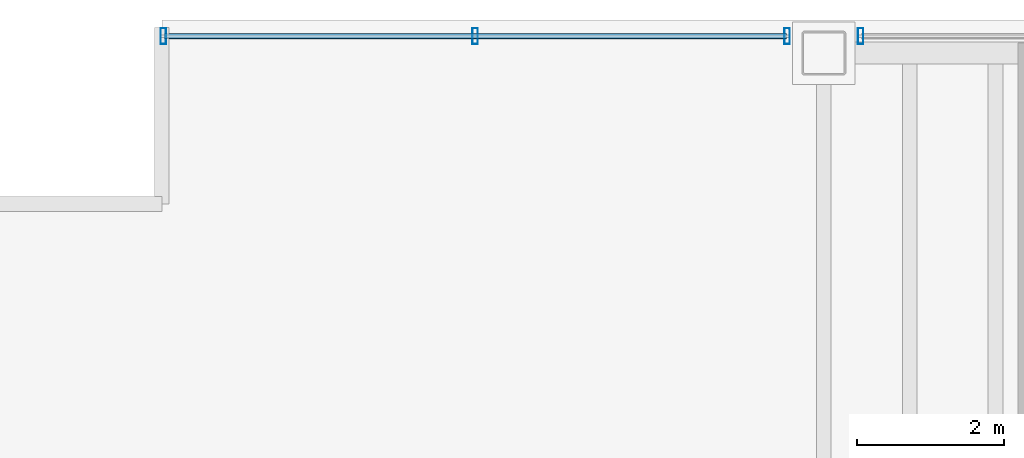
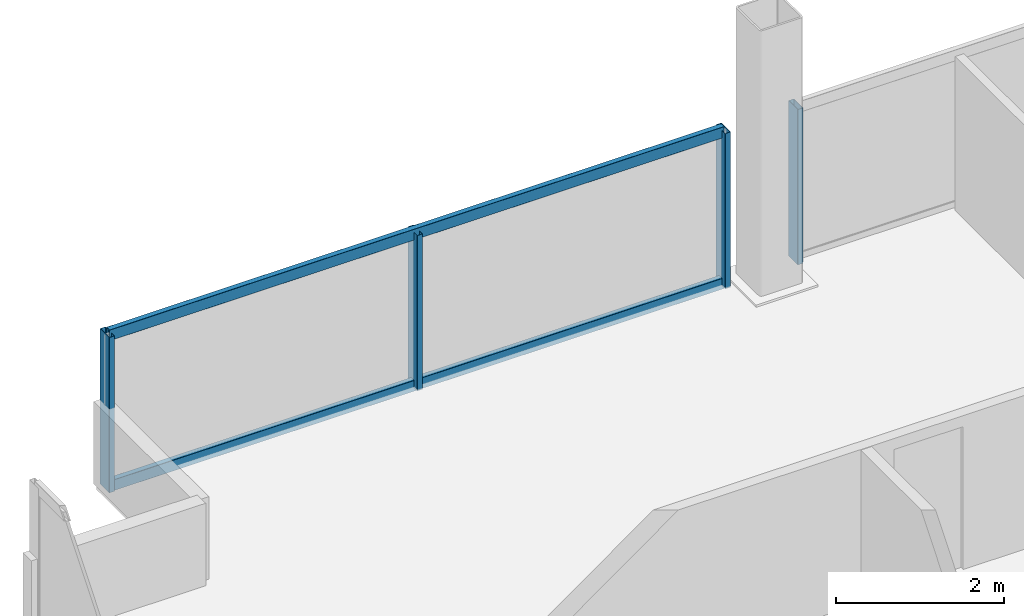
# One storey, part 14 of 21: 6 members, 2 elements without a shape of their own.
"""IFC4 building model written with IfcOpenShell, lengths in metres."""

import ifcopenshell
import ifcopenshell.guid

model = None  # the IFC model being written
_history = None  # IfcOwnerHistory: only IFC2X3 demands one
_inside = {}  # id of a spatial element -> (the spatial element, [elements in it])
_under = {}  # id of a project, library or spatial element -> (it, [spatial elements below it])
_declared = {}  # id of a project -> (the project, [libraries it declares])
_typed = {}  # id of a type object -> (the type object, [elements of that type])
_made_of = {}  # id of a material, layer set ... -> (it, [elements and type objects made of it])


def new_model(schema):
    """Start an empty IFC model of exactly this schema.

    Asked for "IFC4X3", IfcOpenShell would pick the latest addendum, in which some entities
    have other attributes; the version numbers below select the first issue.
    IFC2X3 requires an IfcOwnerHistory on every rooted entity: one is made here for all.
    """
    global model, _history
    if schema == "IFC4X3":
        model = ifcopenshell.file(schema_version=(4, 3, 0, 0))
    else:
        model = ifcopenshell.file(schema=schema)
    _inside.clear()
    _under.clear()
    _declared.clear()
    _typed.clear()
    _made_of.clear()
    _history = None
    if model.schema == "IFC2X3":
        org = make("IfcOrganization", Name="unknown")
        user = make(
            "IfcPersonAndOrganization",
            ThePerson=make("IfcPerson", FamilyName="unknown"),
            TheOrganization=org,
        )
        app = make(
            "IfcApplication",
            ApplicationDeveloper=org,
            Version="unknown",
            ApplicationFullName="unknown",
            ApplicationIdentifier="unknown",
        )
        _history = make(
            "IfcOwnerHistory",
            OwningUser=user,
            OwningApplication=app,
            ChangeAction="ADDED",
            CreationDate=0,
        )
    return model


def make(cls, **values):
    """One entity of the class cls with the attributes given. An attribute that is None is left unset."""
    return model.create_entity(
        cls, **{name: value for name, value in values.items() if value is not None}
    )


def rooted(cls, **values):
    """An entity with a GlobalId (a new one), such as an element, a storey or a relation."""
    return make(cls, GlobalId=ifcopenshell.guid.new(), OwnerHistory=_history, **values)


def si_unit(unit_type, name, prefix=None):
    """IfcSIUnit, for example si_unit("LENGTHUNIT", "METRE", prefix="MILLI")."""
    return make("IfcSIUnit", UnitType=unit_type, Prefix=prefix, Name=name)


def assignment(units):
    """IfcUnitAssignment: the units of a project."""
    return None if units is None else make("IfcUnitAssignment", Units=units)


def point(xyz):
    """IfcCartesianPoint."""
    return None if xyz is None else make("IfcCartesianPoint", Coordinates=xyz)


def direction(xyz):
    """IfcDirection."""
    return None if xyz is None else make("IfcDirection", DirectionRatios=xyz)


def frame(location, z_axis=None, x_axis=None):
    """IfcAxis2Placement3D, a coordinate frame: its origin and axes. An axis left out is left unset."""
    return make(
        "IfcAxis2Placement3D",
        Location=point(location),
        Axis=direction(z_axis),
        RefDirection=direction(x_axis),
    )


def frame_2d(location, x_axis=None):
    """IfcAxis2Placement2D, a coordinate frame in the plane: its origin and x axis."""
    return make(
        "IfcAxis2Placement2D", Location=point(location), RefDirection=direction(x_axis)
    )


def origin():
    """The frame at (0, 0, 0) with its axes left unset."""
    return frame((0.0, 0.0, 0.0))


def origin_2d():
    """The frame at (0, 0) in the plane with its x axis left unset."""
    return frame_2d((0.0, 0.0))


def place(relative_to, where):
    """IfcLocalPlacement: puts the frame where relative to a parent placement (None: the world)."""
    return make(
        "IfcLocalPlacement", PlacementRelTo=relative_to, RelativePlacement=where
    )


def context(
    kind, dimensions, precision=None, world=None, true_north=None, identifier=None
):
    """IfcGeometricRepresentationContext, for example the 3D "Model" context."""
    return make(
        "IfcGeometricRepresentationContext",
        ContextIdentifier=identifier,
        ContextType=kind,
        CoordinateSpaceDimension=dimensions,
        Precision=precision,
        WorldCoordinateSystem=world,
        TrueNorth=true_north,
    )


def subcontext(parent, identifier, kind, view, scale=None):
    """IfcGeometricRepresentationSubContext, for example "Body" below "Model"."""
    return make(
        "IfcGeometricRepresentationSubContext",
        ContextIdentifier=identifier,
        ContextType=kind,
        ParentContext=parent,
        TargetScale=scale,
        TargetView=view,
    )


def project(units=None, contexts=None):
    """IfcProject with its units and contexts."""
    return rooted(
        "IfcProject",
        Name="project",
        RepresentationContexts=contexts,
        UnitsInContext=assignment(units),
    )


def spatial(cls, under=None, at=None, **own):
    """A site, building, storey or space (cls), placed at a placement, below another one or the project."""
    s = rooted(cls, ObjectPlacement=at, **own)
    if under is not None:
        _under.setdefault(under.id(), (under, []))[1].append(s)
    return s


def profile(cls, at=None, kind="AREA", **sizes):
    """A parametric profile (cls). Its sizes go by their IFC names, for example OverallWidth=200.0."""
    return make(cls, ProfileType=kind, Position=at, **sizes)


def hollow_rectangle(**sizes):
    """IfcRectangleHollowProfileDef."""
    return profile("IfcRectangleHollowProfileDef", **sizes)


def extrude(swept, where, along, depth):
    """IfcExtrudedAreaSolid: the profile swept, set in the frame where, extruded along a direction by depth."""
    return make(
        "IfcExtrudedAreaSolid",
        SweptArea=swept,
        Position=where,
        ExtrudedDirection=direction(along),
        Depth=depth,
    )


def shape(context_of_items, identifier, shape_type, items):
    """IfcShapeRepresentation: the items that make up one representation, for example the "Body"."""
    return make(
        "IfcShapeRepresentation",
        ContextOfItems=context_of_items,
        RepresentationIdentifier=identifier,
        RepresentationType=shape_type,
        Items=items,
    )


def material(Name=None, Category=None):
    """IfcMaterial."""
    return make("IfcMaterial", Name=Name, Category=Category)


def material_profile(
    of_material, cross_section, Name=None, Category=None, Priority=None
):
    """IfcMaterialProfile: a cross section and its material."""
    return make(
        "IfcMaterialProfile",
        Name=Name,
        Material=of_material,
        Profile=cross_section,
        Priority=Priority,
        Category=Category,
    )


def profile_set(profiles, Name=None, composite=None):
    """IfcMaterialProfileSet."""
    return make(
        "IfcMaterialProfileSet",
        Name=Name,
        MaterialProfiles=profiles,
        CompositeProfile=composite,
    )


def made_of(thing, what):
    """Note that an element or type object is made of a material, layer set ...; save() writes the relation."""
    if what is not None:
        _made_of.setdefault(what.id(), (what, []))[1].append(thing)
    return thing


def type_object(cls, material=None, **own):
    """A type object (cls), such as IfcWallType, which elements share."""
    return made_of(rooted(cls, **own), material)


def element(
    cls,
    number,
    at=None,
    inside=None,
    cuts=None,
    type_object=None,
    material=None,
    context=None,
    identifier="Body",
    shape_type=None,
    held_by="IfcProductDefinitionShape",
    body=None,
    shapes=None,
    **own,
):
    """One element of the class cls, such as IfcWall. Its Tag is "e" and its number.

    at: its placement. inside: the storey or other place that contains it. cuts: it is an
    opening in that element (IfcRelVoidsElement). A single representation is given by context,
    identifier, shape_type and body (its items); several are given by shapes. held_by: the class
    of the entity that holds the representations. save() writes the other relations.
    """
    e = rooted(cls, Tag="e%d" % number, ObjectPlacement=at, **own)
    if body is not None:
        shapes = [shape(context, identifier, shape_type, body)]
    if shapes is not None:
        e.Representation = make(held_by, Representations=shapes)
    if inside is not None:
        _inside.setdefault(inside.id(), (inside, []))[1].append(e)
    if cuts is not None:
        rooted(
            "IfcRelVoidsElement", RelatingBuildingElement=cuts, RelatedOpeningElement=e
        )
    if type_object is not None:
        _typed.setdefault(type_object.id(), (type_object, []))[1].append(e)
    return made_of(e, material)


def aggregate(whole, parts):
    """IfcRelAggregates: a whole, such as a stair, and the parts it consists of."""
    return rooted("IfcRelAggregates", RelatingObject=whole, RelatedObjects=parts)


def save(model, path):
    """Write the relations noted so far, then the file.

    IfcRelAggregates (storeys below a building ...), IfcRelContainedInSpatialStructure (elements
    in a storey), IfcRelDefinesByType, IfcRelAssociatesMaterial and IfcRelDeclares: one each for
    every whole, place, type object, material and project.
    """
    for whole, parts in _under.values():
        aggregate(whole, parts)
    for where, things in _inside.values():
        rooted(
            "IfcRelContainedInSpatialStructure",
            RelatedElements=things,
            RelatingStructure=where,
        )
    for kind, things in _typed.values():
        rooted("IfcRelDefinesByType", RelatedObjects=things, RelatingType=kind)
    for what, things in _made_of.values():
        rooted("IfcRelAssociatesMaterial", RelatedObjects=things, RelatingMaterial=what)
    for by, libraries in _declared.values():
        rooted("IfcRelDeclares", RelatingContext=by, RelatedDefinitions=libraries)
    model.write(path)


model = new_model("IFC4")

# Units and contexts
model_context = context("Model", 3, precision=1e-05, world=origin(), true_north=direction((0.0, 1.0)))
body_context = subcontext(model_context, "Body", "Model", "MODEL_VIEW")
ifc_project = project(units=[si_unit("LENGTHUNIT", "METRE"), si_unit("AREAUNIT", "SQUARE_METRE"), si_unit("VOLUMEUNIT", "CUBIC_METRE"), si_unit("PLANEANGLEUNIT", "RADIAN"), si_unit("MASSUNIT", "GRAM", prefix="KILO")], contexts=[model_context])

# Site, building, storey
site_placement = place(None, origin())
site = spatial("IfcSite", under=ifc_project, at=site_placement, CompositionType="ELEMENT")
building_placement = place(site_placement, origin())
building = spatial("IfcBuilding", under=site, at=building_placement, Name="Noeulbin Bourse Tower", CompositionType="ELEMENT")
storey_placement = place(building_placement, frame((0.0, 0.0, 49.89990234375)))
storey = spatial("IfcBuildingStorey", under=building, at=storey_placement, Name="L12", CompositionType="ELEMENT", Elevation=49.89990234375)

# Curtain wall, members
ifc_material_1 = material(Name="Dark Solar-Control Double Glazing", Category="glass")
curtain_wall_type = type_object("IfcCurtainWallType", Name="CW-SYS-2", PredefinedType="NOTDEFINED", material=ifc_material_1)
curtain_wall_1_placement = place(storey_placement, origin())
curtain_wall_1 = element("IfcCurtainWall", 1, at=curtain_wall_1_placement, inside=storey, type_object=curtain_wall_type, Name="Unitised Curtain Wall CW-L12-N-S1", PredefinedType="NOTDEFINED")
ifc_material_2 = material(Name="Anodised Aluminium 6063-T6", Category="aluminium")
ifc_material_profile_1 = material_profile(ifc_material_2, hollow_rectangle(XDim=0.074951171875, YDim=0.219970703125, WallThickness=0.0048828125, InnerFilletRadius=0.00244140625, OuterFilletRadius=0.0048828125, at=origin_2d()), Name="ALU-MULL-75x220x5", Category="LoadBearing")
ifc_profile_set_1 = profile_set([ifc_material_profile_1], Name="Anodised Aluminium 6063-T6")
member_type_1 = type_object("IfcMemberType", Name="CW-SYS-2-MUL", PredefinedType="MULLION", material=ifc_profile_set_1)
member_1_placement = place(storey_placement, frame((4.52001953125, 46.780029296875, -0.02001953125), z_axis=(0.0, 0.0, 1.0), x_axis=(1.0, 0.0, 0.0)))
member_1 = element("IfcMember", 2, at=member_1_placement, type_object=member_type_1, Name="Curtain Wall Mullion CW-L12-N-S1-M00", PredefinedType="MULLION", context=body_context, shape_type="SweptSolid", body=[
    extrude(hollow_rectangle(XDim=0.074951171875, YDim=0.219970703125, WallThickness=0.0048828125, InnerFilletRadius=0.00244140625, OuterFilletRadius=0.0048828125, at=origin_2d()), origin(), (0.0, 0.0, 1.0), 2.260009765625),
])
member_2_placement = place(storey_placement, frame((8.760009765625, 46.780029296875, -0.02001953125), z_axis=(0.0, 0.0, 1.0), x_axis=(1.0, 0.0, 0.0)))
member_2 = element("IfcMember", 3, at=member_2_placement, type_object=member_type_1, Name="Curtain Wall Mullion CW-L12-N-S1-M01", PredefinedType="MULLION", context=body_context, shape_type="SweptSolid", body=[
    extrude(hollow_rectangle(XDim=0.074951171875, YDim=0.219970703125, WallThickness=0.0048828125, InnerFilletRadius=0.00244140625, OuterFilletRadius=0.0048828125, at=origin_2d()), origin(), (0.0, 0.0, 1.0), 2.260009765625),
])
member_3_placement = place(storey_placement, frame((13.0, 46.780029296875, -0.02001953125), z_axis=(0.0, 0.0, 1.0), x_axis=(1.0, 0.0, 0.0)))
member_3 = element("IfcMember", 4, at=member_3_placement, type_object=member_type_1, Name="Curtain Wall Mullion CW-L12-N-S1-M02", PredefinedType="MULLION", context=body_context, shape_type="SweptSolid", body=[
    extrude(hollow_rectangle(XDim=0.074951171875, YDim=0.219970703125, WallThickness=0.0048828125, InnerFilletRadius=0.00244140625, OuterFilletRadius=0.0048828125, at=origin_2d()), origin(), (0.0, 0.0, 1.0), 2.260009765625),
])

# Curtain wall, member
curtain_wall_2_placement = place(storey_placement, origin())
curtain_wall_2 = element("IfcCurtainWall", 5, at=curtain_wall_2_placement, inside=storey, type_object=curtain_wall_type, Name="Unitised Curtain Wall CW-L12-N-S2", PredefinedType="NOTDEFINED")
member_4_placement = place(storey_placement, frame((14.0, 46.780029296875, -0.02001953125), z_axis=(0.0, 0.0, 1.0), x_axis=(1.0, 0.0, 0.0)))
member_4 = element("IfcMember", 6, at=member_4_placement, type_object=member_type_1, Name="Curtain Wall Mullion CW-L12-N-S2-M00", PredefinedType="MULLION", context=body_context, shape_type="SweptSolid", body=[
    extrude(hollow_rectangle(XDim=0.074951171875, YDim=0.219970703125, WallThickness=0.0048828125, InnerFilletRadius=0.00244140625, OuterFilletRadius=0.0048828125, at=origin_2d()), origin(), (0.0, 0.0, 1.0), 2.260009765625),
])
aggregate(curtain_wall_2, [member_4])

# Member
ifc_material_profile_2 = material_profile(ifc_material_2, hollow_rectangle(XDim=0.074951171875, YDim=0.159912109375, WallThickness=0.0048828125, InnerFilletRadius=0.00244140625, OuterFilletRadius=0.0048828125, at=origin_2d()), Name="ALU-TRAN-75x160x5", Category="LoadBearing")
ifc_profile_set_2 = profile_set([ifc_material_profile_2], Name="Anodised Aluminium 6063-T6")
member_type_2 = type_object("IfcMemberType", Name="CW-SYS-2-TRN", PredefinedType="USERDEFINED", material=ifc_profile_set_2)
member_5_placement = place(storey_placement, frame((4.530029296875, 46.780029296875, 0.010009765625), z_axis=(1.0, 0.0, 0.0), x_axis=(0.0, 1.0, 0.0)))
member_5 = element("IfcMember", 7, at=member_5_placement, type_object=member_type_2, Name="Curtain Wall Transom CW-L12-N-S1-T00", ObjectType="TRANSOM", PredefinedType="USERDEFINED", context=body_context, shape_type="SweptSolid", body=[
    extrude(hollow_rectangle(XDim=0.074951171875, YDim=0.159912109375, WallThickness=0.0048828125, InnerFilletRadius=0.00244140625, OuterFilletRadius=0.0048828125, at=origin_2d()), origin(), (0.0, 0.0, 1.0), 8.4599609375),
])

member_6_placement = place(storey_placement, frame((4.530029296875, 46.780029296875, 2.210205078125), z_axis=(1.0, 0.0, 0.0), x_axis=(0.0, 1.0, 0.0)))
member_6 = element("IfcMember", 8, at=member_6_placement, type_object=member_type_2, Name="Curtain Wall Transom CW-L12-N-S1-T01", ObjectType="TRANSOM", PredefinedType="USERDEFINED", context=body_context, shape_type="SweptSolid", body=[
    extrude(hollow_rectangle(XDim=0.074951171875, YDim=0.159912109375, WallThickness=0.0048828125, InnerFilletRadius=0.00244140625, OuterFilletRadius=0.0048828125, at=origin_2d()), origin(), (0.0, 0.0, 1.0), 8.4599609375),
])

aggregate(curtain_wall_1, [member_1, member_2, member_3, member_5, member_6])

save(model, "model.ifc")
